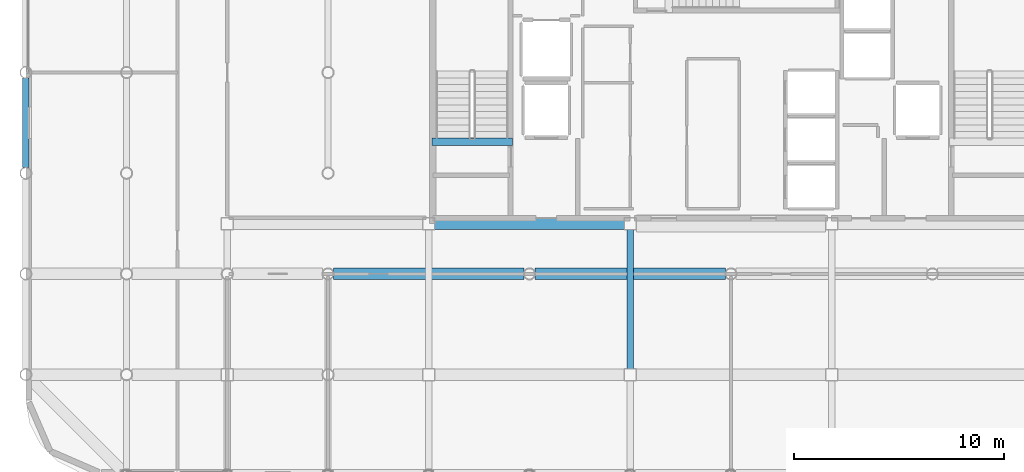
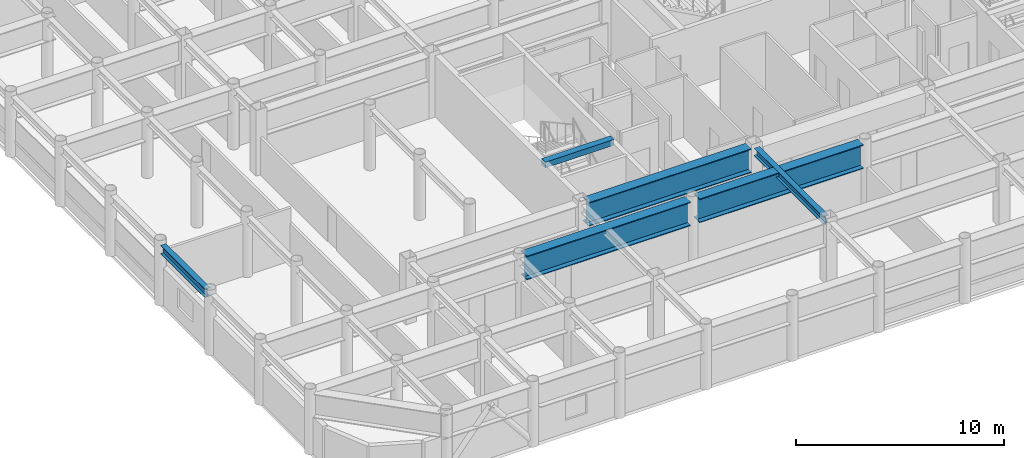
# One storey, part 5 of 21: 6 beams.
"""IFC4 building model written with IfcOpenShell, lengths in metres."""

from ifc_helpers import new_model, si_unit, direction, frame, origin, origin_2d, place, context, subcontext, project, spatial, rectangle, i_section, extrude, material, material_profile, profile_set, type_object, element, save


model = new_model("IFC4")

# Units and contexts
model_context = context("Model", 3, precision=1e-05, world=origin(), true_north=direction((0.0, 1.0)))
body_context = subcontext(model_context, "Body", "Model", "MODEL_VIEW")
ifc_project = project(units=[si_unit("LENGTHUNIT", "METRE"), si_unit("AREAUNIT", "SQUARE_METRE"), si_unit("VOLUMEUNIT", "CUBIC_METRE"), si_unit("PLANEANGLEUNIT", "RADIAN"), si_unit("MASSUNIT", "GRAM", prefix="KILO")], contexts=[model_context])

# Site, building, storey
site_placement = place(None, origin())
site = spatial("IfcSite", under=ifc_project, at=site_placement, CompositionType="ELEMENT")
building_placement = place(site_placement, origin())
building = spatial("IfcBuilding", under=site, at=building_placement, Name="Kallvorn Hotel Tower", CompositionType="ELEMENT")
storey_placement = place(building_placement, frame((0.0, 0.0, 272.35009765625)))
storey = spatial("IfcBuildingStorey", under=building, at=storey_placement, Name="L68", CompositionType="ELEMENT", Elevation=272.35009765625)

# Beams
ifc_material_1 = material(Name="Structural steel S355JR", Category="steel")
ifc_material_profile_1 = material_profile(ifc_material_1, i_section(OverallWidth=0.300048828125, OverallDepth=0.43994140625, WebThickness=0.011474609375, FlangeThickness=0.02099609375, at=origin_2d()), Name="HE 450 A")
ifc_profile_set_1 = profile_set([ifc_material_profile_1], Name="Structural steel S355JR")
beam_type_1 = type_object("IfcBeamType", Name="BM_HE450A", PredefinedType="BEAM", material=ifc_profile_set_1)
beam_1_placement = place(storey_placement, frame((-4.800048828125, -14.125, 3.3798828125), z_axis=(0.0, 1.0, 0.0), x_axis=(-1.0, 0.0, 0.0)))
element("IfcBeam", 1, at=beam_1_placement, inside=storey, type_object=beam_type_1, Name="L69 Primary Y-Girder 107", PredefinedType="BEAM", context=body_context, shape_type="SweptSolid", body=[
    extrude(i_section(OverallWidth=0.300048828125, OverallDepth=0.43994140625, WebThickness=0.011474609375, FlangeThickness=0.02099609375, at=origin_2d()), origin(), (0.0, 0.0, 1.0), 6.64990234375),
])
ifc_material_2 = material(Name="Structural steel S355JR", Category="steel")
ifc_material_profile_2 = material_profile(ifc_material_2, i_section(OverallWidth=0.300048828125, OverallDepth=0.5, WebThickness=0.014404296875, FlangeThickness=0.028076171875, at=origin_2d()), Name="HE 500 B")
ifc_profile_set_2 = profile_set([ifc_material_profile_2], Name="Structural steel S355JR")
beam_type_2 = type_object("IfcBeamType", Name="BM_HE500B", PredefinedType="SPANDREL", material=ifc_profile_set_2)
beam_2_placement = place(storey_placement, frame((-33.60009765625, -4.530517578125, 3.349853515625), z_axis=(0.0, 1.0, 0.0), x_axis=(-1.0, 0.0, 0.0)))
element("IfcBeam", 2, at=beam_2_placement, inside=storey, type_object=beam_type_2, Name="L69 Perimeter Spandrel 176", PredefinedType="SPANDREL", context=body_context, shape_type="SweptSolid", body=[
    extrude(i_section(OverallWidth=0.300048828125, OverallDepth=0.5, WebThickness=0.014404296875, FlangeThickness=0.028076171875, at=origin_2d()), origin(), (0.0, 0.0, 1.0), 4.260986328125),
])
ifc_material_3 = material(Name="Structural steel S355JR", Category="steel")
ifc_material_profile_3 = material_profile(ifc_material_3, i_section(OverallWidth=0.550048828125, OverallDepth=1.39990234375, WebThickness=0.02490234375, FlangeThickness=0.044921875, at=origin_2d()), Name="PG 1400x550x25x45")
ifc_profile_set_3 = profile_set([ifc_material_profile_3], Name="Structural steel S355JR")
beam_type_3 = type_object("IfcBeamType", Name="BM_PG_1400", PredefinedType="BEAM", material=ifc_profile_set_3)
for number, where, z_axis, x_axis, name in (
    (3, (-18.945556640625, -9.60009765625, 2.89990234375), (1.0, 0.0, 0.0), (0.0, 1.0, 0.0), "L69 Primary X-Girder 26"),
    (4, (-9.345458984375, -9.60009765625, 2.89990234375), (1.0, 0.0, 0.0), (0.0, 1.0, 0.0), "L69 Primary X-Girder 27"),
):
    element("IfcBeam", number, at=place(storey_placement, frame(where, z_axis=z_axis, x_axis=x_axis)), inside=storey, type_object=beam_type_3, Name=name, PredefinedType="BEAM", context=body_context, shape_type="SweptSolid", body=[
        extrude(i_section(OverallWidth=0.550048828125, OverallDepth=1.39990234375, WebThickness=0.02490234375, FlangeThickness=0.044921875, at=origin_2d()), origin(), (0.0, 0.0, 1.0), 9.091064453125),
    ])
beam_3_placement = place(storey_placement, frame((-14.125, -7.199951171875, 2.89990234375), z_axis=(1.0, 0.0, 0.0), x_axis=(0.0, 1.0, 0.0)))
element("IfcBeam", 5, at=beam_3_placement, inside=storey, type_object=beam_type_3, Name="L69 Primary X-Girder 33", PredefinedType="BEAM", context=body_context, shape_type="SweptSolid", body=[
    extrude(i_section(OverallWidth=0.550048828125, OverallDepth=1.39990234375, WebThickness=0.02490234375, FlangeThickness=0.044921875, at=origin_2d()), origin(), (0.0, 0.0, 1.0), 9.050048828125),
])
ifc_material_4 = material(Name="Concrete C50/60", Category="concrete")
ifc_material_profile_4 = material_profile(ifc_material_4, rectangle(XDim=0.360107421875, YDim=0.340087890625, at=origin_2d()), Name="RC 360x340")
ifc_profile_set_4 = profile_set([ifc_material_profile_4], Name="Concrete C50/60")
beam_type_4 = type_object("IfcBeamType", Name="BM_RC_400x360", PredefinedType="BEAM", material=ifc_profile_set_4)
beam_4_placement = place(storey_placement, frame((-10.419921875, -3.31005859375, 3.429931640625), z_axis=(-1.0, 0.0, 0.0), x_axis=(0.0, -1.0, 0.0)))
element("IfcBeam", 6, at=beam_4_placement, inside=storey, type_object=beam_type_4, Name="L69 Stair ST1 Arrival Trimmer Beam", PredefinedType="BEAM", context=body_context, shape_type="SweptSolid", body=[
    extrude(rectangle(XDim=0.360107421875, YDim=0.340087890625, at=origin_2d()), origin(), (0.0, 0.0, 1.0), 3.820068359375),
])

save(model, "model.ifc")
